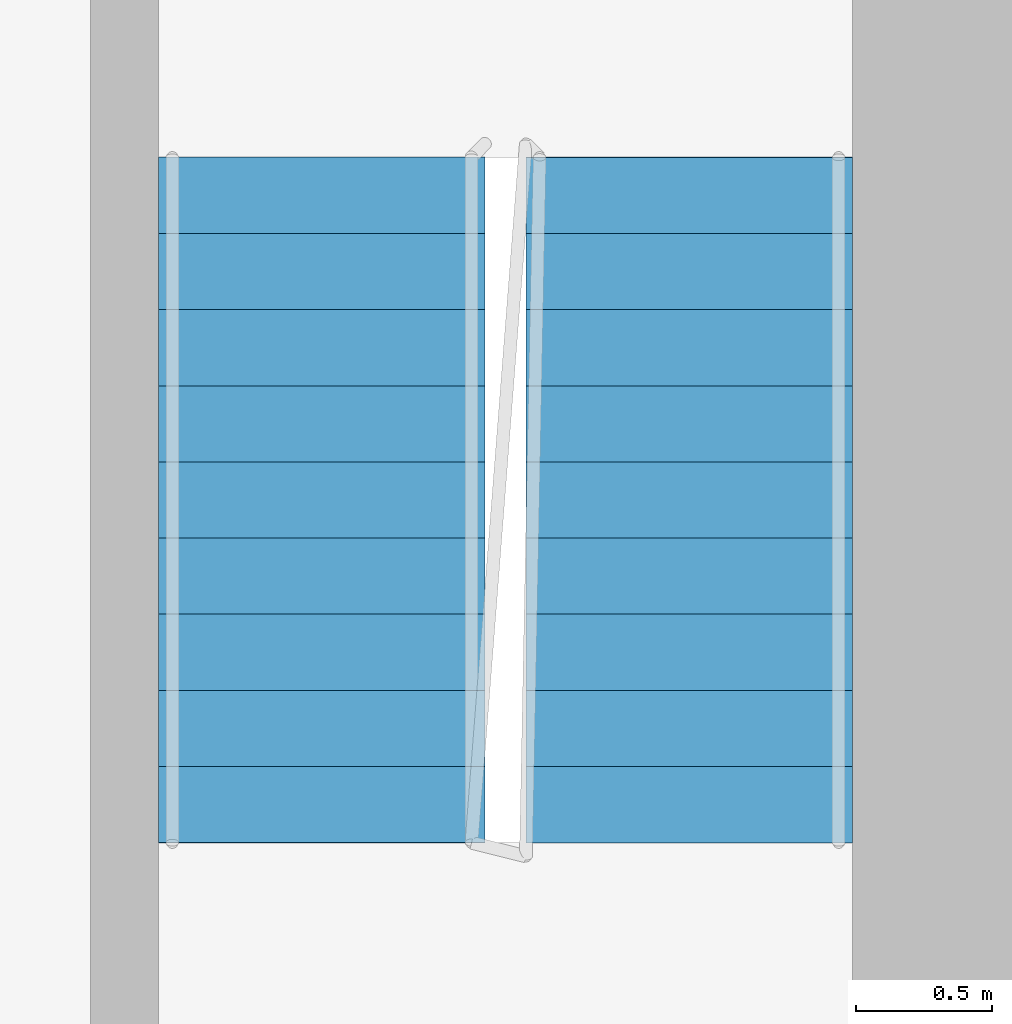
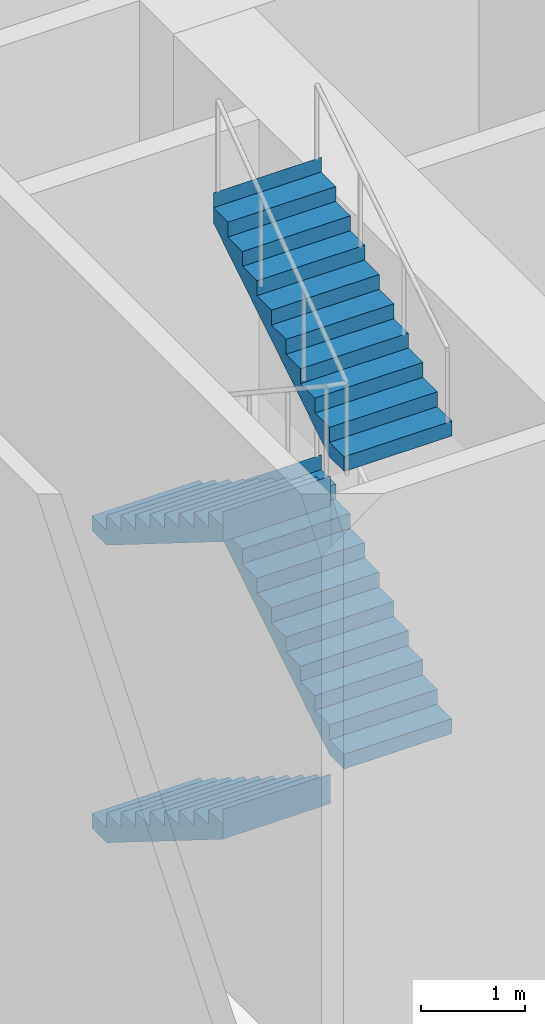
# One storey, part 16 of 23: 4 stair flights, 1 element without a shape of its own.
"""IFC4 building model written with IfcOpenShell, lengths in metres."""

from ifc_helpers import new_model, si_unit, direction, frame, origin, place, context, subcontext, project, spatial, faceted_brep, material, type_object, element, aggregate, save


model = new_model("IFC4")

# Units and contexts
model_context = context("Model", 3, precision=1e-05, world=origin(), true_north=direction((0.0, 1.0)))
body_context = subcontext(model_context, "Body", "Model", "MODEL_VIEW")
ifc_project = project(units=[si_unit("LENGTHUNIT", "METRE"), si_unit("AREAUNIT", "SQUARE_METRE"), si_unit("VOLUMEUNIT", "CUBIC_METRE"), si_unit("PLANEANGLEUNIT", "RADIAN"), si_unit("MASSUNIT", "GRAM", prefix="KILO")], contexts=[model_context])

# Site, building, storey
site_placement = place(None, origin())
site = spatial("IfcSite", under=ifc_project, at=site_placement, CompositionType="ELEMENT")
building_placement = place(site_placement, origin())
building = spatial("IfcBuilding", under=site, at=building_placement, Name="Kajstack Hotel Tower", CompositionType="ELEMENT")
storey_placement = place(building_placement, frame((0.0, 0.0, 53.0)))
storey = spatial("IfcBuildingStorey", under=building, at=storey_placement, Name="L08", CompositionType="ELEMENT", Elevation=53.0)

# Stair, stair flights
ifc_material = material(Name="Concrete C40/50", Category="concrete")
stair_type = type_object("IfcStairType", Name="Exit stair 1200", PredefinedType="HALF_TURN_STAIR", material=ifc_material)
stair_placement = place(storey_placement, origin())
stair = element("IfcStair", 1, at=stair_placement, inside=storey, type_object=stair_type, Name="L08 stair W1", PredefinedType="HALF_TURN_STAIR")
stair_flight_type = type_object("IfcStairFlightType", Name="Exit stair flight 1200", PredefinedType="STRAIGHT", material=ifc_material)
stair_flight_1_placement = place(storey_placement, frame((-33.449951171875, -5.25, 0.0), z_axis=(0.0, 0.0, 1.0), x_axis=(0.0, -1.0, 0.0)))
stair_flight_1 = element("IfcStairFlight", 2, at=stair_flight_1_placement, type_object=stair_flight_type, Name="W1 flight 1", NumberOfRisers=10, NumberOfTreads=9, PredefinedType="STRAIGHT", RiserHeight=0.175, TreadLength=0.28, context=body_context, shape_type="Brep", body=[
    faceted_brep([(0.283447265625, -0.60009765625, 0.0), (2.5205078125, -0.60009765625, 1.398193359375), (2.5205078125, -0.60009765625, 1.75), (2.52001953125, -0.60009765625, 1.75), (2.52001953125, -0.60009765625, 1.574951171875), (2.239990234375, -0.60009765625, 1.574951171875), (2.239990234375, -0.60009765625, 1.39990234375), (1.9599609375, -0.60009765625, 1.39990234375), (1.9599609375, -0.60009765625, 1.22509765625), (1.679931640625, -0.60009765625, 1.22509765625), (1.679931640625, -0.60009765625, 1.050048828125), (1.39990234375, -0.60009765625, 1.050048828125), (1.39990234375, -0.60009765625, 0.875), (1.1201171875, -0.60009765625, 0.875), (1.1201171875, -0.60009765625, 0.699951171875), (0.840087890625, -0.60009765625, 0.699951171875), (0.840087890625, -0.60009765625, 0.52490234375), (0.56005859375, -0.60009765625, 0.52490234375), (0.56005859375, -0.60009765625, 0.35009765625), (0.280029296875, -0.60009765625, 0.35009765625), (0.280029296875, -0.60009765625, 0.175048828125), (-0.00048828125, -0.60009765625, 0.175048828125), (-0.00048828125, -0.60009765625, 0.0), (-0.00048828125, 0.60009765625, 0.0), (-0.00048828125, 0.60009765625, 0.175048828125), (0.280029296875, 0.60009765625, 0.175048828125), (0.280029296875, 0.60009765625, 0.35009765625), (0.56005859375, 0.60009765625, 0.35009765625), (0.56005859375, 0.60009765625, 0.52490234375), (0.840087890625, 0.60009765625, 0.52490234375), (0.840087890625, 0.60009765625, 0.699951171875), (1.1201171875, 0.60009765625, 0.699951171875), (1.1201171875, 0.60009765625, 0.875), (1.39990234375, 0.60009765625, 0.875), (1.39990234375, 0.60009765625, 1.050048828125), (1.679931640625, 0.60009765625, 1.050048828125), (1.679931640625, 0.60009765625, 1.22509765625), (1.9599609375, 0.60009765625, 1.22509765625), (1.9599609375, 0.60009765625, 1.39990234375), (2.239990234375, 0.60009765625, 1.39990234375), (2.239990234375, 0.60009765625, 1.574951171875), (2.52001953125, 0.60009765625, 1.574951171875), (2.52001953125, 0.60009765625, 1.75), (2.5205078125, 0.60009765625, 1.75), (2.5205078125, 0.60009765625, 1.398193359375), (0.283447265625, 0.60009765625, 0.0), (-0.00048828125, -0.300048828125, 0.175048828125), (-0.00048828125, 0.0, 0.175048828125), (-0.00048828125, 0.300048828125, 0.175048828125), (-0.00048828125, 0.300048828125, 0.0), (-0.00048828125, 0.0, 0.0), (-0.00048828125, -0.300048828125, 0.0), (0.280029296875, -0.300048828125, 0.175048828125), (0.280029296875, 0.0, 0.175048828125), (0.280029296875, 0.300048828125, 0.175048828125), (0.280029296875, -0.300048828125, 0.35009765625), (0.280029296875, 0.0, 0.35009765625), (0.280029296875, 0.300048828125, 0.35009765625), (0.56005859375, -0.300048828125, 0.35009765625), (0.56005859375, 0.0, 0.35009765625), (0.56005859375, 0.300048828125, 0.35009765625), (0.56005859375, -0.300048828125, 0.52490234375), (0.56005859375, 0.0, 0.52490234375), (0.56005859375, 0.300048828125, 0.52490234375), (0.840087890625, -0.300048828125, 0.52490234375), (0.840087890625, 0.0, 0.52490234375), (0.840087890625, 0.300048828125, 0.52490234375), (0.840087890625, -0.300048828125, 0.699951171875), (0.840087890625, 0.0, 0.699951171875), (0.840087890625, 0.300048828125, 0.699951171875), (1.1201171875, -0.300048828125, 0.699951171875), (1.1201171875, 0.0, 0.699951171875), (1.1201171875, 0.300048828125, 0.699951171875), (1.1201171875, -0.300048828125, 0.875), (1.1201171875, 0.0, 0.875), (1.1201171875, 0.300048828125, 0.875), (1.39990234375, -0.300048828125, 0.875), (1.39990234375, 0.0, 0.875), (1.39990234375, 0.300048828125, 0.875), (1.39990234375, -0.300048828125, 1.050048828125), (1.39990234375, 0.0, 1.050048828125), (1.39990234375, 0.300048828125, 1.050048828125), (1.679931640625, -0.300048828125, 1.050048828125), (1.679931640625, 0.0, 1.050048828125), (1.679931640625, 0.300048828125, 1.050048828125), (1.679931640625, -0.300048828125, 1.22509765625), (1.679931640625, 0.0, 1.22509765625), (1.679931640625, 0.300048828125, 1.22509765625), (1.9599609375, -0.300048828125, 1.22509765625), (1.9599609375, 0.0, 1.22509765625), (1.9599609375, 0.300048828125, 1.22509765625), (1.9599609375, -0.300048828125, 1.39990234375), (1.9599609375, 0.0, 1.39990234375), (1.9599609375, 0.300048828125, 1.39990234375), (2.239990234375, -0.300048828125, 1.39990234375), (2.239990234375, 0.0, 1.39990234375), (2.239990234375, 0.300048828125, 1.39990234375), (2.239990234375, -0.300048828125, 1.574951171875), (2.239990234375, 0.0, 1.574951171875), (2.239990234375, 0.300048828125, 1.574951171875), (2.52001953125, -0.300048828125, 1.574951171875), (2.52001953125, 0.0, 1.574951171875), (2.52001953125, 0.300048828125, 1.574951171875), (2.52001953125, -0.300048828125, 1.75), (2.52001953125, 0.0, 1.75), (2.52001953125, 0.300048828125, 1.75), (2.5205078125, -0.300048828125, 1.75), (2.5205078125, 0.0, 1.75), (2.5205078125, 0.300048828125, 1.75), (2.5205078125, -0.300048828125, 1.398193359375), (2.5205078125, 0.0, 1.398193359375), (2.5205078125, 0.300048828125, 1.398193359375), (0.283447265625, -0.300048828125, 0.0), (0.283447265625, 0.0, 0.0), (0.283447265625, 0.300048828125, 0.0)], [[[0, 1, 2, 3, 4, 5, 6, 7, 8, 9, 10, 11, 12, 13, 14, 15, 16, 17, 18, 19, 20, 21, 22]], [[23, 24, 25, 26, 27, 28, 29, 30, 31, 32, 33, 34, 35, 36, 37, 38, 39, 40, 41, 42, 43, 44, 45]], [[21, 46, 47, 48, 24, 23, 49, 50, 51, 22]], [[20, 52, 53, 54, 25, 24, 48, 47, 46, 21]], [[19, 55, 56, 57, 26, 25, 54, 53, 52, 20]], [[18, 58, 59, 60, 27, 26, 57, 56, 55, 19]], [[17, 61, 62, 63, 28, 27, 60, 59, 58, 18]], [[16, 64, 65, 66, 29, 28, 63, 62, 61, 17]], [[15, 67, 68, 69, 30, 29, 66, 65, 64, 16]], [[14, 70, 71, 72, 31, 30, 69, 68, 67, 15]], [[13, 73, 74, 75, 32, 31, 72, 71, 70, 14]], [[12, 76, 77, 78, 33, 32, 75, 74, 73, 13]], [[11, 79, 80, 81, 34, 33, 78, 77, 76, 12]], [[10, 82, 83, 84, 35, 34, 81, 80, 79, 11]], [[9, 85, 86, 87, 36, 35, 84, 83, 82, 10]], [[8, 88, 89, 90, 37, 36, 87, 86, 85, 9]], [[7, 91, 92, 93, 38, 37, 90, 89, 88, 8]], [[6, 94, 95, 96, 39, 38, 93, 92, 91, 7]], [[5, 97, 98, 99, 40, 39, 96, 95, 94, 6]], [[4, 100, 101, 102, 41, 40, 99, 98, 97, 5]], [[3, 103, 104, 105, 42, 41, 102, 101, 100, 4]], [[2, 106, 107, 108, 43, 42, 105, 104, 103, 3]], [[1, 109, 110, 111, 44, 43, 108, 107, 106, 2]], [[0, 112, 113, 114, 45, 44, 111, 110, 109, 1]], [[22, 51, 50, 49, 23, 45, 114, 113, 112, 0]]]),
])
stair_flight_2_placement = place(storey_placement, frame((-32.10009765625, -7.77001953125, 1.75), z_axis=(0.0, 0.0, 1.0), x_axis=(0.0, 1.0, 0.0)))
stair_flight_2 = element("IfcStairFlight", 3, at=stair_flight_2_placement, type_object=stair_flight_type, Name="W1 flight 2", NumberOfRisers=10, NumberOfTreads=9, PredefinedType="STRAIGHT", RiserHeight=0.175, TreadLength=0.28, context=body_context, shape_type="Brep", body=[
    faceted_brep([(0.283447265625, -0.60009765625, 0.0), (2.5205078125, -0.60009765625, 1.398193359375), (2.5205078125, -0.60009765625, 1.75), (2.52001953125, -0.60009765625, 1.75), (2.52001953125, -0.60009765625, 1.574951171875), (2.239990234375, -0.60009765625, 1.574951171875), (2.239990234375, -0.60009765625, 1.39990234375), (1.9599609375, -0.60009765625, 1.39990234375), (1.9599609375, -0.60009765625, 1.22509765625), (1.679931640625, -0.60009765625, 1.22509765625), (1.679931640625, -0.60009765625, 1.050048828125), (1.39990234375, -0.60009765625, 1.050048828125), (1.39990234375, -0.60009765625, 0.875), (1.1201171875, -0.60009765625, 0.875), (1.1201171875, -0.60009765625, 0.699951171875), (0.840087890625, -0.60009765625, 0.699951171875), (0.840087890625, -0.60009765625, 0.52490234375), (0.56005859375, -0.60009765625, 0.52490234375), (0.56005859375, -0.60009765625, 0.35009765625), (0.280029296875, -0.60009765625, 0.35009765625), (0.280029296875, -0.60009765625, 0.175048828125), (-0.00048828125, -0.60009765625, 0.175048828125), (-0.00048828125, -0.60009765625, 0.0), (-0.00048828125, 0.60009765625, 0.0), (-0.00048828125, 0.60009765625, 0.175048828125), (0.280029296875, 0.60009765625, 0.175048828125), (0.280029296875, 0.60009765625, 0.35009765625), (0.56005859375, 0.60009765625, 0.35009765625), (0.56005859375, 0.60009765625, 0.52490234375), (0.840087890625, 0.60009765625, 0.52490234375), (0.840087890625, 0.60009765625, 0.699951171875), (1.1201171875, 0.60009765625, 0.699951171875), (1.1201171875, 0.60009765625, 0.875), (1.39990234375, 0.60009765625, 0.875), (1.39990234375, 0.60009765625, 1.050048828125), (1.679931640625, 0.60009765625, 1.050048828125), (1.679931640625, 0.60009765625, 1.22509765625), (1.9599609375, 0.60009765625, 1.22509765625), (1.9599609375, 0.60009765625, 1.39990234375), (2.239990234375, 0.60009765625, 1.39990234375), (2.239990234375, 0.60009765625, 1.574951171875), (2.52001953125, 0.60009765625, 1.574951171875), (2.52001953125, 0.60009765625, 1.75), (2.5205078125, 0.60009765625, 1.75), (2.5205078125, 0.60009765625, 1.398193359375), (0.283447265625, 0.60009765625, 0.0), (-0.00048828125, -0.300048828125, 0.175048828125), (-0.00048828125, 0.0, 0.175048828125), (-0.00048828125, 0.300048828125, 0.175048828125), (-0.00048828125, 0.300048828125, 0.0), (-0.00048828125, 0.0, 0.0), (-0.00048828125, -0.300048828125, 0.0), (0.280029296875, -0.300048828125, 0.175048828125), (0.280029296875, 0.0, 0.175048828125), (0.280029296875, 0.300048828125, 0.175048828125), (0.280029296875, -0.300048828125, 0.35009765625), (0.280029296875, 0.0, 0.35009765625), (0.280029296875, 0.300048828125, 0.35009765625), (0.56005859375, -0.300048828125, 0.35009765625), (0.56005859375, 0.0, 0.35009765625), (0.56005859375, 0.300048828125, 0.35009765625), (0.56005859375, -0.300048828125, 0.52490234375), (0.56005859375, 0.0, 0.52490234375), (0.56005859375, 0.300048828125, 0.52490234375), (0.840087890625, -0.300048828125, 0.52490234375), (0.840087890625, 0.0, 0.52490234375), (0.840087890625, 0.300048828125, 0.52490234375), (0.840087890625, -0.300048828125, 0.699951171875), (0.840087890625, 0.0, 0.699951171875), (0.840087890625, 0.300048828125, 0.699951171875), (1.1201171875, -0.300048828125, 0.699951171875), (1.1201171875, 0.0, 0.699951171875), (1.1201171875, 0.300048828125, 0.699951171875), (1.1201171875, -0.300048828125, 0.875), (1.1201171875, 0.0, 0.875), (1.1201171875, 0.300048828125, 0.875), (1.39990234375, -0.300048828125, 0.875), (1.39990234375, 0.0, 0.875), (1.39990234375, 0.300048828125, 0.875), (1.39990234375, -0.300048828125, 1.050048828125), (1.39990234375, 0.0, 1.050048828125), (1.39990234375, 0.300048828125, 1.050048828125), (1.679931640625, -0.300048828125, 1.050048828125), (1.679931640625, 0.0, 1.050048828125), (1.679931640625, 0.300048828125, 1.050048828125), (1.679931640625, -0.300048828125, 1.22509765625), (1.679931640625, 0.0, 1.22509765625), (1.679931640625, 0.300048828125, 1.22509765625), (1.9599609375, -0.300048828125, 1.22509765625), (1.9599609375, 0.0, 1.22509765625), (1.9599609375, 0.300048828125, 1.22509765625), (1.9599609375, -0.300048828125, 1.39990234375), (1.9599609375, 0.0, 1.39990234375), (1.9599609375, 0.300048828125, 1.39990234375), (2.239990234375, -0.300048828125, 1.39990234375), (2.239990234375, 0.0, 1.39990234375), (2.239990234375, 0.300048828125, 1.39990234375), (2.239990234375, -0.300048828125, 1.574951171875), (2.239990234375, 0.0, 1.574951171875), (2.239990234375, 0.300048828125, 1.574951171875), (2.52001953125, -0.300048828125, 1.574951171875), (2.52001953125, 0.0, 1.574951171875), (2.52001953125, 0.300048828125, 1.574951171875), (2.52001953125, -0.300048828125, 1.75), (2.52001953125, 0.0, 1.75), (2.52001953125, 0.300048828125, 1.75), (2.5205078125, -0.300048828125, 1.75), (2.5205078125, 0.0, 1.75), (2.5205078125, 0.300048828125, 1.75), (2.5205078125, -0.300048828125, 1.398193359375), (2.5205078125, 0.0, 1.398193359375), (2.5205078125, 0.300048828125, 1.398193359375), (0.283447265625, -0.300048828125, 0.0), (0.283447265625, 0.0, 0.0), (0.283447265625, 0.300048828125, 0.0)], [[[0, 1, 2, 3, 4, 5, 6, 7, 8, 9, 10, 11, 12, 13, 14, 15, 16, 17, 18, 19, 20, 21, 22]], [[23, 24, 25, 26, 27, 28, 29, 30, 31, 32, 33, 34, 35, 36, 37, 38, 39, 40, 41, 42, 43, 44, 45]], [[21, 46, 47, 48, 24, 23, 49, 50, 51, 22]], [[20, 52, 53, 54, 25, 24, 48, 47, 46, 21]], [[19, 55, 56, 57, 26, 25, 54, 53, 52, 20]], [[18, 58, 59, 60, 27, 26, 57, 56, 55, 19]], [[17, 61, 62, 63, 28, 27, 60, 59, 58, 18]], [[16, 64, 65, 66, 29, 28, 63, 62, 61, 17]], [[15, 67, 68, 69, 30, 29, 66, 65, 64, 16]], [[14, 70, 71, 72, 31, 30, 69, 68, 67, 15]], [[13, 73, 74, 75, 32, 31, 72, 71, 70, 14]], [[12, 76, 77, 78, 33, 32, 75, 74, 73, 13]], [[11, 79, 80, 81, 34, 33, 78, 77, 76, 12]], [[10, 82, 83, 84, 35, 34, 81, 80, 79, 11]], [[9, 85, 86, 87, 36, 35, 84, 83, 82, 10]], [[8, 88, 89, 90, 37, 36, 87, 86, 85, 9]], [[7, 91, 92, 93, 38, 37, 90, 89, 88, 8]], [[6, 94, 95, 96, 39, 38, 93, 92, 91, 7]], [[5, 97, 98, 99, 40, 39, 96, 95, 94, 6]], [[4, 100, 101, 102, 41, 40, 99, 98, 97, 5]], [[3, 103, 104, 105, 42, 41, 102, 101, 100, 4]], [[2, 106, 107, 108, 43, 42, 105, 104, 103, 3]], [[1, 109, 110, 111, 44, 43, 108, 107, 106, 2]], [[0, 112, 113, 114, 45, 44, 111, 110, 109, 1]], [[22, 51, 50, 49, 23, 45, 114, 113, 112, 0]]]),
])
stair_flight_3_placement = place(storey_placement, frame((-33.449951171875, -5.25, 3.5), z_axis=(0.0, 0.0, 1.0), x_axis=(0.0, -1.0, 0.0)))
stair_flight_3 = element("IfcStairFlight", 4, at=stair_flight_3_placement, type_object=stair_flight_type, Name="W1 flight 3", NumberOfRisers=10, NumberOfTreads=9, PredefinedType="STRAIGHT", RiserHeight=0.175, TreadLength=0.28, context=body_context, shape_type="Brep", body=[
    faceted_brep([(0.283447265625, -0.60009765625, 0.0), (2.5205078125, -0.60009765625, 1.398193359375), (2.5205078125, -0.60009765625, 1.75), (2.52001953125, -0.60009765625, 1.75), (2.52001953125, -0.60009765625, 1.574951171875), (2.239990234375, -0.60009765625, 1.574951171875), (2.239990234375, -0.60009765625, 1.39990234375), (1.9599609375, -0.60009765625, 1.39990234375), (1.9599609375, -0.60009765625, 1.22509765625), (1.679931640625, -0.60009765625, 1.22509765625), (1.679931640625, -0.60009765625, 1.050048828125), (1.39990234375, -0.60009765625, 1.050048828125), (1.39990234375, -0.60009765625, 0.875), (1.1201171875, -0.60009765625, 0.875), (1.1201171875, -0.60009765625, 0.699951171875), (0.840087890625, -0.60009765625, 0.699951171875), (0.840087890625, -0.60009765625, 0.52490234375), (0.56005859375, -0.60009765625, 0.52490234375), (0.56005859375, -0.60009765625, 0.35009765625), (0.280029296875, -0.60009765625, 0.35009765625), (0.280029296875, -0.60009765625, 0.175048828125), (-0.00048828125, -0.60009765625, 0.175048828125), (-0.00048828125, -0.60009765625, 0.0), (-0.00048828125, 0.60009765625, 0.0), (-0.00048828125, 0.60009765625, 0.175048828125), (0.280029296875, 0.60009765625, 0.175048828125), (0.280029296875, 0.60009765625, 0.35009765625), (0.56005859375, 0.60009765625, 0.35009765625), (0.56005859375, 0.60009765625, 0.52490234375), (0.840087890625, 0.60009765625, 0.52490234375), (0.840087890625, 0.60009765625, 0.699951171875), (1.1201171875, 0.60009765625, 0.699951171875), (1.1201171875, 0.60009765625, 0.875), (1.39990234375, 0.60009765625, 0.875), (1.39990234375, 0.60009765625, 1.050048828125), (1.679931640625, 0.60009765625, 1.050048828125), (1.679931640625, 0.60009765625, 1.22509765625), (1.9599609375, 0.60009765625, 1.22509765625), (1.9599609375, 0.60009765625, 1.39990234375), (2.239990234375, 0.60009765625, 1.39990234375), (2.239990234375, 0.60009765625, 1.574951171875), (2.52001953125, 0.60009765625, 1.574951171875), (2.52001953125, 0.60009765625, 1.75), (2.5205078125, 0.60009765625, 1.75), (2.5205078125, 0.60009765625, 1.398193359375), (0.283447265625, 0.60009765625, 0.0), (-0.00048828125, -0.300048828125, 0.175048828125), (-0.00048828125, 0.0, 0.175048828125), (-0.00048828125, 0.300048828125, 0.175048828125), (-0.00048828125, 0.300048828125, 0.0), (-0.00048828125, 0.0, 0.0), (-0.00048828125, -0.300048828125, 0.0), (0.280029296875, -0.300048828125, 0.175048828125), (0.280029296875, 0.0, 0.175048828125), (0.280029296875, 0.300048828125, 0.175048828125), (0.280029296875, -0.300048828125, 0.35009765625), (0.280029296875, 0.0, 0.35009765625), (0.280029296875, 0.300048828125, 0.35009765625), (0.56005859375, -0.300048828125, 0.35009765625), (0.56005859375, 0.0, 0.35009765625), (0.56005859375, 0.300048828125, 0.35009765625), (0.56005859375, -0.300048828125, 0.52490234375), (0.56005859375, 0.0, 0.52490234375), (0.56005859375, 0.300048828125, 0.52490234375), (0.840087890625, -0.300048828125, 0.52490234375), (0.840087890625, 0.0, 0.52490234375), (0.840087890625, 0.300048828125, 0.52490234375), (0.840087890625, -0.300048828125, 0.699951171875), (0.840087890625, 0.0, 0.699951171875), (0.840087890625, 0.300048828125, 0.699951171875), (1.1201171875, -0.300048828125, 0.699951171875), (1.1201171875, 0.0, 0.699951171875), (1.1201171875, 0.300048828125, 0.699951171875), (1.1201171875, -0.300048828125, 0.875), (1.1201171875, 0.0, 0.875), (1.1201171875, 0.300048828125, 0.875), (1.39990234375, -0.300048828125, 0.875), (1.39990234375, 0.0, 0.875), (1.39990234375, 0.300048828125, 0.875), (1.39990234375, -0.300048828125, 1.050048828125), (1.39990234375, 0.0, 1.050048828125), (1.39990234375, 0.300048828125, 1.050048828125), (1.679931640625, -0.300048828125, 1.050048828125), (1.679931640625, 0.0, 1.050048828125), (1.679931640625, 0.300048828125, 1.050048828125), (1.679931640625, -0.300048828125, 1.22509765625), (1.679931640625, 0.0, 1.22509765625), (1.679931640625, 0.300048828125, 1.22509765625), (1.9599609375, -0.300048828125, 1.22509765625), (1.9599609375, 0.0, 1.22509765625), (1.9599609375, 0.300048828125, 1.22509765625), (1.9599609375, -0.300048828125, 1.39990234375), (1.9599609375, 0.0, 1.39990234375), (1.9599609375, 0.300048828125, 1.39990234375), (2.239990234375, -0.300048828125, 1.39990234375), (2.239990234375, 0.0, 1.39990234375), (2.239990234375, 0.300048828125, 1.39990234375), (2.239990234375, -0.300048828125, 1.574951171875), (2.239990234375, 0.0, 1.574951171875), (2.239990234375, 0.300048828125, 1.574951171875), (2.52001953125, -0.300048828125, 1.574951171875), (2.52001953125, 0.0, 1.574951171875), (2.52001953125, 0.300048828125, 1.574951171875), (2.52001953125, -0.300048828125, 1.75), (2.52001953125, 0.0, 1.75), (2.52001953125, 0.300048828125, 1.75), (2.5205078125, -0.300048828125, 1.75), (2.5205078125, 0.0, 1.75), (2.5205078125, 0.300048828125, 1.75), (2.5205078125, -0.300048828125, 1.398193359375), (2.5205078125, 0.0, 1.398193359375), (2.5205078125, 0.300048828125, 1.398193359375), (0.283447265625, -0.300048828125, 0.0), (0.283447265625, 0.0, 0.0), (0.283447265625, 0.300048828125, 0.0)], [[[0, 1, 2, 3, 4, 5, 6, 7, 8, 9, 10, 11, 12, 13, 14, 15, 16, 17, 18, 19, 20, 21, 22]], [[23, 24, 25, 26, 27, 28, 29, 30, 31, 32, 33, 34, 35, 36, 37, 38, 39, 40, 41, 42, 43, 44, 45]], [[21, 46, 47, 48, 24, 23, 49, 50, 51, 22]], [[20, 52, 53, 54, 25, 24, 48, 47, 46, 21]], [[19, 55, 56, 57, 26, 25, 54, 53, 52, 20]], [[18, 58, 59, 60, 27, 26, 57, 56, 55, 19]], [[17, 61, 62, 63, 28, 27, 60, 59, 58, 18]], [[16, 64, 65, 66, 29, 28, 63, 62, 61, 17]], [[15, 67, 68, 69, 30, 29, 66, 65, 64, 16]], [[14, 70, 71, 72, 31, 30, 69, 68, 67, 15]], [[13, 73, 74, 75, 32, 31, 72, 71, 70, 14]], [[12, 76, 77, 78, 33, 32, 75, 74, 73, 13]], [[11, 79, 80, 81, 34, 33, 78, 77, 76, 12]], [[10, 82, 83, 84, 35, 34, 81, 80, 79, 11]], [[9, 85, 86, 87, 36, 35, 84, 83, 82, 10]], [[8, 88, 89, 90, 37, 36, 87, 86, 85, 9]], [[7, 91, 92, 93, 38, 37, 90, 89, 88, 8]], [[6, 94, 95, 96, 39, 38, 93, 92, 91, 7]], [[5, 97, 98, 99, 40, 39, 96, 95, 94, 6]], [[4, 100, 101, 102, 41, 40, 99, 98, 97, 5]], [[3, 103, 104, 105, 42, 41, 102, 101, 100, 4]], [[2, 106, 107, 108, 43, 42, 105, 104, 103, 3]], [[1, 109, 110, 111, 44, 43, 108, 107, 106, 2]], [[0, 112, 113, 114, 45, 44, 111, 110, 109, 1]], [[22, 51, 50, 49, 23, 45, 114, 113, 112, 0]]]),
])
stair_flight_4_placement = place(storey_placement, frame((-32.10009765625, -7.77001953125, 5.25), z_axis=(0.0, 0.0, 1.0), x_axis=(0.0, 1.0, 0.0)))
stair_flight_4 = element("IfcStairFlight", 5, at=stair_flight_4_placement, type_object=stair_flight_type, Name="W1 flight 4", NumberOfRisers=10, NumberOfTreads=9, PredefinedType="STRAIGHT", RiserHeight=0.175, TreadLength=0.28, context=body_context, shape_type="Brep", body=[
    faceted_brep([(0.283447265625, -0.60009765625, 0.0), (2.5205078125, -0.60009765625, 1.398193359375), (2.5205078125, -0.60009765625, 1.75), (2.52001953125, -0.60009765625, 1.75), (2.52001953125, -0.60009765625, 1.574951171875), (2.239990234375, -0.60009765625, 1.574951171875), (2.239990234375, -0.60009765625, 1.39990234375), (1.9599609375, -0.60009765625, 1.39990234375), (1.9599609375, -0.60009765625, 1.22509765625), (1.679931640625, -0.60009765625, 1.22509765625), (1.679931640625, -0.60009765625, 1.050048828125), (1.39990234375, -0.60009765625, 1.050048828125), (1.39990234375, -0.60009765625, 0.875), (1.1201171875, -0.60009765625, 0.875), (1.1201171875, -0.60009765625, 0.699951171875), (0.840087890625, -0.60009765625, 0.699951171875), (0.840087890625, -0.60009765625, 0.52490234375), (0.56005859375, -0.60009765625, 0.52490234375), (0.56005859375, -0.60009765625, 0.35009765625), (0.280029296875, -0.60009765625, 0.35009765625), (0.280029296875, -0.60009765625, 0.175048828125), (-0.00048828125, -0.60009765625, 0.175048828125), (-0.00048828125, -0.60009765625, 0.0), (-0.00048828125, 0.60009765625, 0.0), (-0.00048828125, 0.60009765625, 0.175048828125), (0.280029296875, 0.60009765625, 0.175048828125), (0.280029296875, 0.60009765625, 0.35009765625), (0.56005859375, 0.60009765625, 0.35009765625), (0.56005859375, 0.60009765625, 0.52490234375), (0.840087890625, 0.60009765625, 0.52490234375), (0.840087890625, 0.60009765625, 0.699951171875), (1.1201171875, 0.60009765625, 0.699951171875), (1.1201171875, 0.60009765625, 0.875), (1.39990234375, 0.60009765625, 0.875), (1.39990234375, 0.60009765625, 1.050048828125), (1.679931640625, 0.60009765625, 1.050048828125), (1.679931640625, 0.60009765625, 1.22509765625), (1.9599609375, 0.60009765625, 1.22509765625), (1.9599609375, 0.60009765625, 1.39990234375), (2.239990234375, 0.60009765625, 1.39990234375), (2.239990234375, 0.60009765625, 1.574951171875), (2.52001953125, 0.60009765625, 1.574951171875), (2.52001953125, 0.60009765625, 1.75), (2.5205078125, 0.60009765625, 1.75), (2.5205078125, 0.60009765625, 1.398193359375), (0.283447265625, 0.60009765625, 0.0), (-0.00048828125, -0.300048828125, 0.175048828125), (-0.00048828125, 0.0, 0.175048828125), (-0.00048828125, 0.300048828125, 0.175048828125), (-0.00048828125, 0.300048828125, 0.0), (-0.00048828125, 0.0, 0.0), (-0.00048828125, -0.300048828125, 0.0), (0.280029296875, -0.300048828125, 0.175048828125), (0.280029296875, 0.0, 0.175048828125), (0.280029296875, 0.300048828125, 0.175048828125), (0.280029296875, -0.300048828125, 0.35009765625), (0.280029296875, 0.0, 0.35009765625), (0.280029296875, 0.300048828125, 0.35009765625), (0.56005859375, -0.300048828125, 0.35009765625), (0.56005859375, 0.0, 0.35009765625), (0.56005859375, 0.300048828125, 0.35009765625), (0.56005859375, -0.300048828125, 0.52490234375), (0.56005859375, 0.0, 0.52490234375), (0.56005859375, 0.300048828125, 0.52490234375), (0.840087890625, -0.300048828125, 0.52490234375), (0.840087890625, 0.0, 0.52490234375), (0.840087890625, 0.300048828125, 0.52490234375), (0.840087890625, -0.300048828125, 0.699951171875), (0.840087890625, 0.0, 0.699951171875), (0.840087890625, 0.300048828125, 0.699951171875), (1.1201171875, -0.300048828125, 0.699951171875), (1.1201171875, 0.0, 0.699951171875), (1.1201171875, 0.300048828125, 0.699951171875), (1.1201171875, -0.300048828125, 0.875), (1.1201171875, 0.0, 0.875), (1.1201171875, 0.300048828125, 0.875), (1.39990234375, -0.300048828125, 0.875), (1.39990234375, 0.0, 0.875), (1.39990234375, 0.300048828125, 0.875), (1.39990234375, -0.300048828125, 1.050048828125), (1.39990234375, 0.0, 1.050048828125), (1.39990234375, 0.300048828125, 1.050048828125), (1.679931640625, -0.300048828125, 1.050048828125), (1.679931640625, 0.0, 1.050048828125), (1.679931640625, 0.300048828125, 1.050048828125), (1.679931640625, -0.300048828125, 1.22509765625), (1.679931640625, 0.0, 1.22509765625), (1.679931640625, 0.300048828125, 1.22509765625), (1.9599609375, -0.300048828125, 1.22509765625), (1.9599609375, 0.0, 1.22509765625), (1.9599609375, 0.300048828125, 1.22509765625), (1.9599609375, -0.300048828125, 1.39990234375), (1.9599609375, 0.0, 1.39990234375), (1.9599609375, 0.300048828125, 1.39990234375), (2.239990234375, -0.300048828125, 1.39990234375), (2.239990234375, 0.0, 1.39990234375), (2.239990234375, 0.300048828125, 1.39990234375), (2.239990234375, -0.300048828125, 1.574951171875), (2.239990234375, 0.0, 1.574951171875), (2.239990234375, 0.300048828125, 1.574951171875), (2.52001953125, -0.300048828125, 1.574951171875), (2.52001953125, 0.0, 1.574951171875), (2.52001953125, 0.300048828125, 1.574951171875), (2.52001953125, -0.300048828125, 1.75), (2.52001953125, 0.0, 1.75), (2.52001953125, 0.300048828125, 1.75), (2.5205078125, -0.300048828125, 1.75), (2.5205078125, 0.0, 1.75), (2.5205078125, 0.300048828125, 1.75), (2.5205078125, -0.300048828125, 1.398193359375), (2.5205078125, 0.0, 1.398193359375), (2.5205078125, 0.300048828125, 1.398193359375), (0.283447265625, -0.300048828125, 0.0), (0.283447265625, 0.0, 0.0), (0.283447265625, 0.300048828125, 0.0)], [[[0, 1, 2, 3, 4, 5, 6, 7, 8, 9, 10, 11, 12, 13, 14, 15, 16, 17, 18, 19, 20, 21, 22]], [[23, 24, 25, 26, 27, 28, 29, 30, 31, 32, 33, 34, 35, 36, 37, 38, 39, 40, 41, 42, 43, 44, 45]], [[21, 46, 47, 48, 24, 23, 49, 50, 51, 22]], [[20, 52, 53, 54, 25, 24, 48, 47, 46, 21]], [[19, 55, 56, 57, 26, 25, 54, 53, 52, 20]], [[18, 58, 59, 60, 27, 26, 57, 56, 55, 19]], [[17, 61, 62, 63, 28, 27, 60, 59, 58, 18]], [[16, 64, 65, 66, 29, 28, 63, 62, 61, 17]], [[15, 67, 68, 69, 30, 29, 66, 65, 64, 16]], [[14, 70, 71, 72, 31, 30, 69, 68, 67, 15]], [[13, 73, 74, 75, 32, 31, 72, 71, 70, 14]], [[12, 76, 77, 78, 33, 32, 75, 74, 73, 13]], [[11, 79, 80, 81, 34, 33, 78, 77, 76, 12]], [[10, 82, 83, 84, 35, 34, 81, 80, 79, 11]], [[9, 85, 86, 87, 36, 35, 84, 83, 82, 10]], [[8, 88, 89, 90, 37, 36, 87, 86, 85, 9]], [[7, 91, 92, 93, 38, 37, 90, 89, 88, 8]], [[6, 94, 95, 96, 39, 38, 93, 92, 91, 7]], [[5, 97, 98, 99, 40, 39, 96, 95, 94, 6]], [[4, 100, 101, 102, 41, 40, 99, 98, 97, 5]], [[3, 103, 104, 105, 42, 41, 102, 101, 100, 4]], [[2, 106, 107, 108, 43, 42, 105, 104, 103, 3]], [[1, 109, 110, 111, 44, 43, 108, 107, 106, 2]], [[0, 112, 113, 114, 45, 44, 111, 110, 109, 1]], [[22, 51, 50, 49, 23, 45, 114, 113, 112, 0]]]),
])
aggregate(stair, [stair_flight_1, stair_flight_2, stair_flight_3, stair_flight_4])

save(model, "model.ifc")
